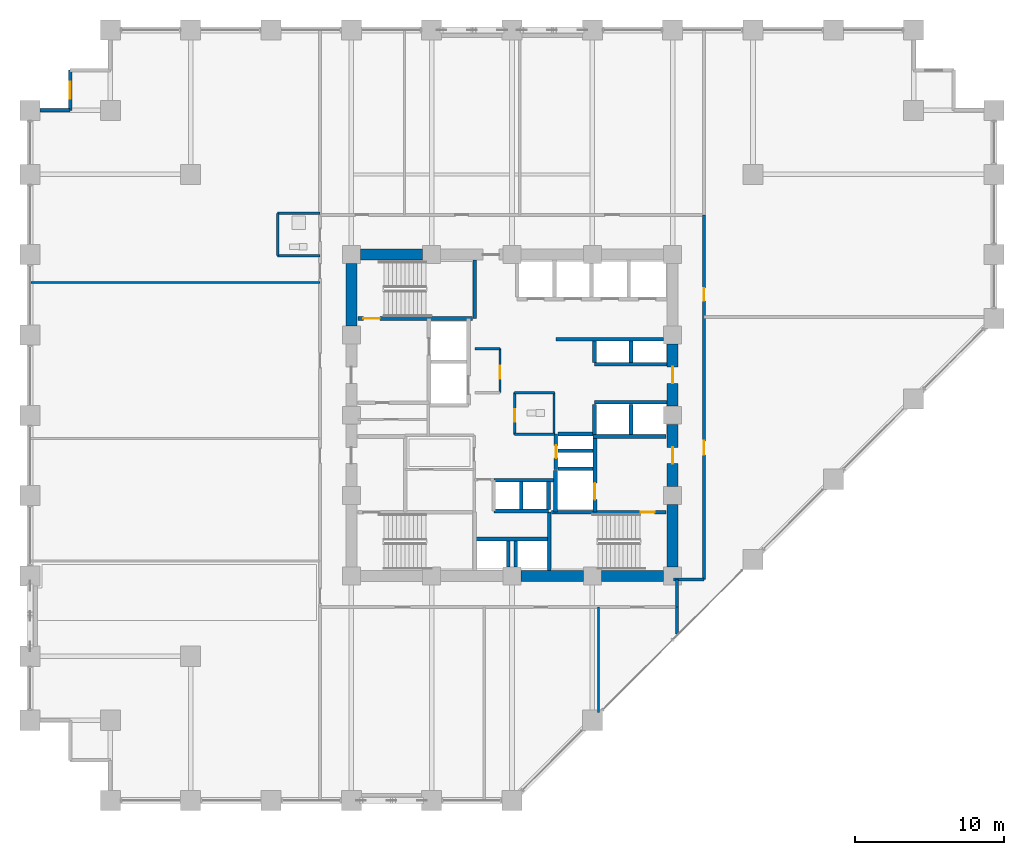
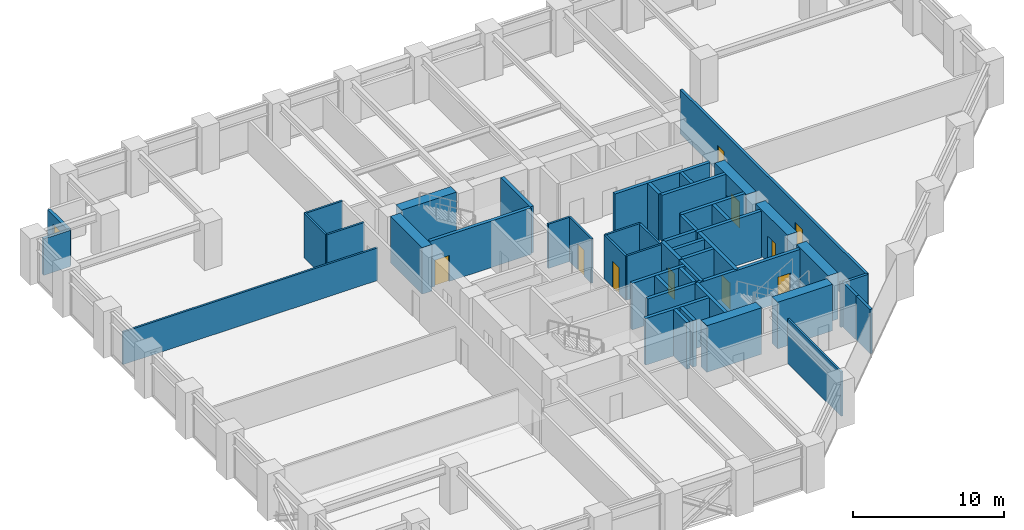
# One storey, part 21 of 25: 49 walls, 10 doors, 1 window, 11 openings.
"""IFC4 building model written with IfcOpenShell, lengths in metres."""

from ifc_helpers import new_model, si_unit, direction, frame, frame_2d, origin, place, context, subcontext, project, spatial, rectangle, extrude, material, layer, layer_set, type_object, element, fill, save


model = new_model("IFC4")

# Units and contexts
model_context = context("Model", 3, precision=1e-05, world=origin(), true_north=direction((0.0, 1.0)))
body_context = subcontext(model_context, "Body", "Model", "MODEL_VIEW")
ifc_project = project(units=[si_unit("LENGTHUNIT", "METRE"), si_unit("AREAUNIT", "SQUARE_METRE"), si_unit("VOLUMEUNIT", "CUBIC_METRE"), si_unit("PLANEANGLEUNIT", "RADIAN"), si_unit("MASSUNIT", "GRAM", prefix="KILO")], contexts=[model_context])

# Site, building, storey
site_placement = place(None, origin())
site = spatial("IfcSite", under=ifc_project, at=site_placement, CompositionType="ELEMENT")
building_placement = place(site_placement, origin())
building = spatial("IfcBuilding", under=site, at=building_placement, Name="Surkhivell Harbour Commons", CompositionType="ELEMENT")
storey_placement = place(building_placement, frame((0.0, 0.0, 52.5)))
storey = spatial("IfcBuildingStorey", under=building, at=storey_placement, Name="L13", CompositionType="ELEMENT", Elevation=52.5)

# Walls
ifc_material_1 = material(Name="Concrete C60/75", Category="concrete")
ifc_layer_1 = layer(ifc_material_1, 0.75)
ifc_layer_set_1 = layer_set([ifc_layer_1], Name="Concrete C60/75")
wall_type_1 = type_object("IfcWallType", Name="WAL-CORE-750", PredefinedType="SHEAR", material=ifc_layer_set_1)
for number, where, z_axis, x_axis, name in (
    (1, (-10.18994140625, 10.800048828125, 0.0), (0.0, 0.0, 1.0), (1.0, 0.0, 0.0), "L13 Core Shear Wall North 1"),
    (2, (10.800048828125, -10.18994140625, 0.0), (0.0, 0.0, 1.0), (0.0, 1.0, 0.0), "L13 Core Shear Wall East 1"),
):
    element("IfcWall", number, at=place(storey_placement, frame(where, z_axis=z_axis, x_axis=x_axis)), inside=storey, type_object=wall_type_1, Name=name, PredefinedType="SHEAR", context=body_context, shape_type="SweptSolid", body=[
        extrude(rectangle(XDim=4.179931640625, YDim=0.75, at=frame_2d((2.08984375, 0.0))), origin(), (0.0, 0.0, 1.0), 3.75),
    ])

# Wall, opening, door
wall_1_placement = place(storey_placement, frame((10.800048828125, -4.7900390625, 0.0), z_axis=(0.0, 0.0, 1.0), x_axis=(0.0, 1.0, 0.0)))
wall_1 = element("IfcWall", 3, at=wall_1_placement, inside=storey, type_object=wall_type_1, Name="L13 Core Shear Wall East 2", PredefinedType="SHEAR", context=body_context, shape_type="SweptSolid", body=[
    extrude(rectangle(XDim=4.179931640625, YDim=0.75, at=frame_2d((2.08984375, 0.0))), origin(), (0.0, 0.0, 1.0), 3.75),
])
opening_1_placement = place(wall_1_placement, frame((1.5400390625, 0.0, 0.0)))
opening_1 = element("IfcOpeningElement", 4, at=opening_1_placement, cuts=wall_1, Name="Opening ID-1", PredefinedType="OPENING", context=body_context, shape_type="SweptSolid", body=[
    extrude(rectangle(XDim=1.10009765625, YDim=2.10009765625, at=frame_2d((0.550048828125, 1.050048828125))), frame((0.0, 0.385009765625, 0.0), z_axis=(0.0, -1.0, 0.0), x_axis=(1.0, 0.0, 0.0)), (0.0, 0.0, 1.0), 0.77001953125),
])
ifc_material_2 = material(Name="Hardwood-veneered fire-rated door leaf", Category="wood")
door_type_1 = type_object("IfcDoorType", Name="DOR-FD120-1100", OperationType="NOTDEFINED", PredefinedType="DOOR", material=ifc_material_2)
door_1_placement = place(opening_1_placement, origin())
door_1 = element("IfcDoor", 5, at=door_1_placement, inside=storey, type_object=door_type_1, Name="L13 Firefighting Lobby 2 Corridor Door", OperationType="SINGLE_SWING_RIGHT", OverallHeight=2.10009765625, OverallWidth=1.10009765625, PredefinedType="DOOR", context=body_context, shape_type="SweptSolid", body=[
    extrude(rectangle(XDim=1.10009765625, YDim=2.10009765625, at=frame_2d((0.550048828125, 1.050048828125))), frame((0.0, 0.02490234375, 0.0), z_axis=(0.0, -1.0, 0.0), x_axis=(1.0, 0.0, 0.0)), (0.0, 0.0, 1.0), 0.050048828125),
])
fill(opening_1, door_1)

# Wall
wall_2_placement = place(storey_placement, frame((0.610107421875, -10.800048828125, 0.0), z_axis=(0.0, 0.0, 1.0), x_axis=(1.0, 0.0, 0.0)))
element("IfcWall", 6, at=wall_2_placement, inside=storey, type_object=wall_type_1, Name="L13 Core Shear Wall South 3", PredefinedType="SHEAR", context=body_context, shape_type="SweptSolid", body=[
    extrude(rectangle(XDim=4.179931640625, YDim=0.75, at=frame_2d((2.08984375, 0.0))), origin(), (0.0, 0.0, 1.0), 3.75),
])

# Wall, opening, door
wall_3_placement = place(storey_placement, frame((10.800048828125, 0.610107421875, 0.0), z_axis=(0.0, 0.0, 1.0), x_axis=(0.0, 1.0, 0.0)))
wall_3 = element("IfcWall", 7, at=wall_3_placement, inside=storey, type_object=wall_type_1, Name="L13 Core Shear Wall East 3", PredefinedType="SHEAR", context=body_context, shape_type="SweptSolid", body=[
    extrude(rectangle(XDim=4.179931640625, YDim=0.75, at=frame_2d((2.08984375, 0.0))), origin(), (0.0, 0.0, 1.0), 3.75),
])
opening_2_placement = place(wall_3_placement, frame((1.5400390625, 0.0, 0.0)))
opening_2 = element("IfcOpeningElement", 8, at=opening_2_placement, cuts=wall_3, Name="Opening ID-2", PredefinedType="OPENING", context=body_context, shape_type="SweptSolid", body=[
    extrude(rectangle(XDim=1.10009765625, YDim=2.10009765625, at=frame_2d((0.550048828125, 1.050048828125))), frame((0.0, 0.385009765625, 0.0), z_axis=(0.0, -1.0, 0.0), x_axis=(1.0, 0.0, 0.0)), (0.0, 0.0, 1.0), 0.77001953125),
])
door_type_2 = type_object("IfcDoorType", Name="DOR-FD60-1100", OperationType="NOTDEFINED", PredefinedType="DOOR", material=ifc_material_2)
door_2_placement = place(opening_2_placement, origin())
door_2 = element("IfcDoor", 9, at=door_2_placement, inside=storey, type_object=door_type_2, Name="L13 Mid-Rise Lobby East Door", OperationType="SINGLE_SWING_LEFT", OverallHeight=2.10009765625, OverallWidth=1.10009765625, PredefinedType="DOOR", context=body_context, shape_type="SweptSolid", body=[
    extrude(rectangle(XDim=1.10009765625, YDim=2.10009765625, at=frame_2d((0.550048828125, 1.050048828125))), frame((0.0, 0.02490234375, 0.0), z_axis=(0.0, -1.0, 0.0), x_axis=(1.0, 0.0, 0.0)), (0.0, 0.0, 1.0), 0.050048828125),
])
fill(opening_2, door_2)

# Walls
for number, where, z_axis, x_axis, name in (
    (10, (6.010009765625, -10.800048828125, 0.0), (0.0, 0.0, 1.0), (1.0, 0.0, 0.0), "L13 Core Shear Wall South 4"),
    (11, (-10.800048828125, 6.010009765625, 0.0), (0.0, 0.0, 1.0), (0.0, 1.0, 0.0), "L13 Core Shear Wall West 4"),
):
    element("IfcWall", number, at=place(storey_placement, frame(where, z_axis=z_axis, x_axis=x_axis)), inside=storey, type_object=wall_type_1, Name=name, PredefinedType="SHEAR", context=body_context, shape_type="SweptSolid", body=[
        extrude(rectangle(XDim=4.179931640625, YDim=0.75, at=frame_2d((2.08984375, 0.0))), origin(), (0.0, 0.0, 1.0), 3.75),
    ])

# Wall, opening, window
ifc_material_3 = material(Name="Bronze-ochre cassette precast concrete C45/55", Category="concrete")
ifc_layer_2 = layer(ifc_material_3, 0.239990234375)
ifc_layer_set_2 = layer_set([ifc_layer_2], Name="Bronze-ochre cassette precast concrete C45/55")
wall_type_2 = type_object("IfcWallType", Name="WAL-EXT-OCH240", PredefinedType="STANDARD", material=ifc_layer_set_2)
wall_4_placement = place(storey_placement, frame((-29.699951171875, 23.199951171875, 0.0), z_axis=(0.0, 0.0, 1.0), x_axis=(0.0, -1.0, 0.0)))
wall_4 = element("IfcWall", 12, at=wall_4_placement, inside=storey, type_object=wall_type_2, Name="L13 Serrated Corner Facade Wall 10", PredefinedType="STANDARD", context=body_context, shape_type="SweptSolid", body=[
    extrude(rectangle(XDim=2.699951171875, YDim=0.239990234375, at=frame_2d((1.35009765625, 0.0))), origin(), (0.0, 0.0, 1.0), 2.929931640625),
])
opening_3_placement = place(wall_4_placement, frame((0.77490234375, 0.0, 0.64990234375)))
opening_3 = element("IfcOpeningElement", 13, at=opening_3_placement, cuts=wall_4, Name="Opening WN-10", PredefinedType="OPENING", context=body_context, shape_type="SweptSolid", body=[
    extrude(rectangle(XDim=1.14990234375, YDim=1.550048828125, at=frame_2d((0.574951171875, 0.77490234375))), frame((0.0, 0.1298828125, 0.0), z_axis=(0.0, -1.0, 0.0), x_axis=(1.0, 0.0, 0.0)), (0.0, 0.0, 1.0), 0.260009765625),
])
ifc_material_4 = material(Name="Thermal-break aluminium frame and double low-E glazing", Category="aluminium")
window_type = type_object("IfcWindowType", Name="WIN-SER-1150x1550", PartitioningType="SINGLE_PANEL", PredefinedType="WINDOW", material=ifc_material_4)
window_placement = place(opening_3_placement, origin())
window = element("IfcWindow", 14, at=window_placement, inside=storey, type_object=window_type, Name="L13 Serrated Alcove Window 10", OverallHeight=1.550048828125, OverallWidth=1.14990234375, PartitioningType="SINGLE_PANEL", PredefinedType="WINDOW", context=body_context, shape_type="SweptSolid", body=[
    extrude(rectangle(XDim=1.14990234375, YDim=1.550048828125, at=frame_2d((0.574951171875, 0.77490234375))), frame((0.0, 0.030029296875, 0.0), z_axis=(0.0, -1.0, 0.0), x_axis=(1.0, 0.0, 0.0)), (0.0, 0.0, 1.0), 0.06005859375),
])
fill(opening_3, window)

# Walls
wall_5_placement = place(storey_placement, frame((-29.699951171875, 20.5, 0.0), z_axis=(0.0, 0.0, 1.0), x_axis=(-1.0, 0.0, 0.0)))
element("IfcWall", 15, at=wall_5_placement, inside=storey, type_object=wall_type_2, Name="L13 Serrated Corner Facade Wall 11", PredefinedType="STANDARD", context=body_context, shape_type="SweptSolid", body=[
    extrude(rectangle(XDim=2.027099609375, YDim=0.239990234375, at=frame_2d((1.013671875, 0.0))), origin(), (0.0, 0.0, 1.0), 2.929931640625),
])
ifc_material_5 = material(Name="Twin-stud acoustic fireboard partition", Category="other")
ifc_layer_3 = layer(ifc_material_5, 0.14990234375)
ifc_layer_set_3 = layer_set([ifc_layer_3], Name="Twin-stud acoustic fireboard partition")
wall_type_3 = type_object("IfcWallType", Name="WAL-INT-150", PredefinedType="PARTITIONING", material=ifc_layer_set_3)
wall_6_placement = place(storey_placement, frame((2.820068359375, -1.25, 0.0), z_axis=(0.0, 0.0, 1.0), x_axis=(0.0, 1.0, 0.0)))
element("IfcWall", 16, at=wall_6_placement, inside=storey, type_object=wall_type_3, Name="L13 Core WC East Wall", PredefinedType="PARTITIONING", context=body_context, shape_type="SweptSolid", body=[
    extrude(rectangle(XDim=2.77001953125, YDim=0.14990234375, at=frame_2d((1.385009765625, 0.0))), origin(), (0.0, 0.0, 1.0), 3.570068359375),
])
for number, where, z_axis, x_axis, name in (
    (17, (0.179931640625, 1.52001953125, 0.0), (0.0, 0.0, 1.0), (1.0, 0.0, 0.0), "L13 Core WC North Wall"),
    (18, (0.179931640625, -1.280029296875, 0.0), (0.0, 0.0, 1.0), (1.0, 0.0, 0.0), "L13 Core WC South Wall"),
):
    element("IfcWall", number, at=place(storey_placement, frame(where, z_axis=z_axis, x_axis=x_axis)), inside=storey, type_object=wall_type_3, Name=name, PredefinedType="PARTITIONING", context=body_context, shape_type="SweptSolid", body=[
        extrude(rectangle(XDim=2.670166015625, YDim=0.14990234375, at=frame_2d((1.3349609375, 0.0))), origin(), (0.0, 0.0, 1.0), 3.570068359375),
    ])

# Wall, opening, door
wall_7_placement = place(storey_placement, frame((0.179931640625, -1.280029296875, 0.0), z_axis=(0.0, 0.0, 1.0), x_axis=(0.0, 1.0, 0.0)))
wall_7 = element("IfcWall", 19, at=wall_7_placement, inside=storey, type_object=wall_type_3, Name="L13 Core Accessible WC West Wall", PredefinedType="PARTITIONING", context=body_context, shape_type="SweptSolid", body=[
    extrude(rectangle(XDim=2.800048828125, YDim=0.14990234375, at=frame_2d((1.39990234375, 0.0))), origin(), (0.0, 0.0, 1.0), 3.570068359375),
])
opening_4_placement = place(wall_7_placement, frame((0.85009765625, 0.0, 0.0)))
opening_4 = element("IfcOpeningElement", 20, at=opening_4_placement, cuts=wall_7, Name="Opening ID-6", PredefinedType="OPENING", context=body_context, shape_type="SweptSolid", body=[
    extrude(rectangle(XDim=0.85009765625, YDim=2.10009765625, at=frame_2d((0.425048828125, 1.050048828125))), frame((0.0, 0.0849609375, 0.0), z_axis=(0.0, -1.0, 0.0), x_axis=(1.0, 0.0, 0.0)), (0.0, 0.0, 1.0), 0.169921875),
])
door_type_3 = type_object("IfcDoorType", Name="DOR-FD30-850", OperationType="NOTDEFINED", PredefinedType="DOOR", material=ifc_material_2)
door_3_placement = place(opening_4_placement, origin())
door_3 = element("IfcDoor", 21, at=door_3_placement, inside=storey, type_object=door_type_3, Name="L13 Floor Accessible WC Door", OperationType="SINGLE_SWING_RIGHT", OverallHeight=2.10009765625, OverallWidth=0.85009765625, PredefinedType="DOOR", context=body_context, shape_type="SweptSolid", body=[
    extrude(rectangle(XDim=0.85009765625, YDim=2.10009765625, at=frame_2d((0.425048828125, 1.050048828125))), frame((0.0, 0.02490234375, 0.0), z_axis=(0.0, -1.0, 0.0), x_axis=(1.0, 0.0, 0.0)), (0.0, 0.0, 1.0), 0.050048828125),
])
fill(opening_4, door_3)

wall_8_placement = place(storey_placement, frame((-0.800048828125, 1.52001953125, 0.0), z_axis=(0.0, 0.0, 1.0), x_axis=(0.0, 1.0, 0.0)))
wall_8 = element("IfcWall", 22, at=wall_8_placement, inside=storey, type_object=wall_type_3, Name="L13 Core Seminar East Wall", PredefinedType="PARTITIONING", context=body_context, shape_type="SweptSolid", body=[
    extrude(rectangle(XDim=2.9599609375, YDim=0.14990234375, at=frame_2d((1.47998046875, 0.0))), origin(), (0.0, 0.0, 1.0), 3.570068359375),
])
opening_5_placement = place(wall_8_placement, frame((0.949951171875, 0.0, 0.0)))
opening_5 = element("IfcOpeningElement", 23, at=opening_5_placement, cuts=wall_8, Name="Opening ID-6", PredefinedType="OPENING", context=body_context, shape_type="SweptSolid", body=[
    extrude(rectangle(XDim=0.85009765625, YDim=2.10009765625, at=frame_2d((0.425048828125, 1.050048828125))), frame((0.0, 0.0849609375, 0.0), z_axis=(0.0, -1.0, 0.0), x_axis=(1.0, 0.0, 0.0)), (0.0, 0.0, 1.0), 0.169921875),
])
door_4_placement = place(opening_5_placement, origin())
door_4 = element("IfcDoor", 24, at=door_4_placement, inside=storey, type_object=door_type_3, Name="L13 Central Seminar Door", OperationType="SINGLE_SWING_LEFT", OverallHeight=2.10009765625, OverallWidth=0.85009765625, PredefinedType="DOOR", context=body_context, shape_type="SweptSolid", body=[
    extrude(rectangle(XDim=0.85009765625, YDim=2.10009765625, at=frame_2d((0.425048828125, 1.050048828125))), frame((0.0, 0.02490234375, 0.0), z_axis=(0.0, -1.0, 0.0), x_axis=(1.0, 0.0, 0.0)), (0.0, 0.0, 1.0), 0.050048828125),
])
fill(opening_5, door_4)

# Walls
wall_9_placement = place(storey_placement, frame((-2.47998046875, 4.47998046875, 0.0), z_axis=(0.0, 0.0, 1.0), x_axis=(1.0, 0.0, 0.0)))
element("IfcWall", 25, at=wall_9_placement, inside=storey, type_object=wall_type_3, Name="L13 Core Seminar North Wall", PredefinedType="PARTITIONING", context=body_context, shape_type="SweptSolid", body=[
    extrude(rectangle(XDim=1.679931640625, YDim=0.14990234375, at=frame_2d((0.83984375, 0.0))), origin(), (0.0, 0.0, 1.0), 3.570068359375),
])
wall_10_placement = place(storey_placement, frame((5.820068359375, -19.9951171875, 0.0), z_axis=(0.0, 0.0, 1.0), x_axis=(0.0, 1.0, 0.0)))
element("IfcWall", 26, at=wall_10_placement, inside=storey, type_object=wall_type_3, Name="L13 South Partition P2", PredefinedType="PARTITIONING", context=body_context, shape_type="SweptSolid", body=[
    extrude(rectangle(XDim=7.09521484375, YDim=0.14990234375, at=frame_2d((3.547607421875, 0.0))), origin(), (0.0, 0.0, 1.0), 3.570068359375),
])
for number, where, z_axis, x_axis, name in (
    (27, (-15.75, 10.72998046875, 0.0), (0.0, 0.0, 1.0), (0.0, 1.0, 0.0), "L13 West Partition BTHB"),
    (28, (-15.75, 13.580078125, 0.0), (0.0, 0.0, 1.0), (1.0, 0.0, 0.0), "L13 West Partition BTHN"),
    (29, (-15.75, 10.72998046875, 0.0), (0.0, 0.0, 1.0), (1.0, 0.0, 0.0), "L13 West Partition BTHS"),
):
    element("IfcWall", number, at=place(storey_placement, frame(where, z_axis=z_axis, x_axis=x_axis)), inside=storey, type_object=wall_type_3, Name=name, PredefinedType="PARTITIONING", context=body_context, shape_type="SweptSolid", body=[
        extrude(rectangle(XDim=2.85009765625, YDim=0.14990234375, at=frame_2d((1.425048828125, 0.0))), origin(), (0.0, 0.0, 1.0), 3.570068359375),
    ])
wall_11_placement = place(storey_placement, frame((-32.340087890625, 8.929931640625, 0.0), z_axis=(0.0, 0.0, 1.0), x_axis=(1.0, 0.0, 0.0)))
element("IfcWall", 30, at=wall_11_placement, inside=storey, type_object=wall_type_3, Name="L13 West Partition PTOP", PredefinedType="PARTITIONING", context=body_context, shape_type="SweptSolid", body=[
    extrude(rectangle(XDim=19.440185546875, YDim=0.14990234375, at=frame_2d((9.72021484375, 0.0))), origin(), (0.0, 0.0, 1.0), 2.62890625),
])
ifc_material_6 = material(Name="Autoclaved aerated concrete blockwork and fire plaster", Category="masonry")
ifc_layer_4 = layer(ifc_material_6, 0.199951171875)
ifc_layer_set_4 = layer_set([ifc_layer_4], Name="Autoclaved aerated concrete blockwork and fire plaster")
wall_type_4 = type_object("IfcWallType", Name="WAL-INT-200", PredefinedType="PARTITIONING", material=ifc_layer_set_4)
wall_12_placement = place(storey_placement, frame((11.10009765625, -14.715087890625, 0.0), z_axis=(0.0, 0.0, 1.0), x_axis=(0.0, 1.0, 0.0)))
element("IfcWall", 31, at=wall_12_placement, inside=storey, type_object=wall_type_4, Name="L13 South-East Wing Corner Divider", PredefinedType="PARTITIONING", context=body_context, shape_type="SweptSolid", body=[
    extrude(rectangle(XDim=1.815185546875, YDim=0.199951171875, at=frame_2d((0.90771484375, 0.0))), origin(), (0.0, 0.0, 1.0), 3.570068359375),
])

# Wall, openings, doors
wall_13_placement = place(storey_placement, frame((12.89990234375, -11.0400390625, 0.0), z_axis=(0.0, 0.0, 1.0), x_axis=(0.0, 1.0, 0.0)))
wall_13 = element("IfcWall", 32, at=wall_13_placement, inside=storey, type_object=wall_type_4, Name="L13 Corridor East Wall", PredefinedType="PARTITIONING", context=body_context, shape_type="SweptSolid", body=[
    extrude(rectangle(XDim=24.52001953125, YDim=0.199951171875, at=frame_2d((12.260009765625, 0.0))), origin(), (0.0, 0.0, 1.0), 3.570068359375),
])
opening_6_placement = place(wall_13_placement, frame((8.375, 0.0, 0.0)))
opening_6 = element("IfcOpeningElement", 33, at=opening_6_placement, cuts=wall_13, Name="Opening ID-4", PredefinedType="OPENING", context=body_context, shape_type="SweptSolid", body=[
    extrude(rectangle(XDim=0.949951171875, YDim=2.10009765625, at=frame_2d((0.47509765625, 1.050048828125))), frame((0.0, 0.10986328125, 0.0), z_axis=(0.0, -1.0, 0.0), x_axis=(1.0, 0.0, 0.0)), (0.0, 0.0, 1.0), 0.219970703125),
])
opening_7_placement = place(wall_13_placement, frame((18.739013671875, 0.0, 0.0)))
opening_7 = element("IfcOpeningElement", 34, at=opening_7_placement, cuts=wall_13, Name="Opening ID-6", PredefinedType="OPENING", context=body_context, shape_type="SweptSolid", body=[
    extrude(rectangle(XDim=0.85009765625, YDim=2.10009765625, at=frame_2d((0.425048828125, 1.050048828125))), frame((0.0, 0.10986328125, 0.0), z_axis=(0.0, -1.0, 0.0), x_axis=(1.0, 0.0, 0.0)), (0.0, 0.0, 1.0), 0.219970703125),
])
door_5_placement = place(opening_7_placement, origin())
door_5 = element("IfcDoor", 35, at=door_5_placement, inside=storey, type_object=door_type_3, Name="L13 Resident Advisory Reception Desk East Door", OperationType="SINGLE_SWING_LEFT", OverallHeight=2.10009765625, OverallWidth=0.85009765625, PredefinedType="DOOR", context=body_context, shape_type="SweptSolid", body=[
    extrude(rectangle(XDim=0.85009765625, YDim=2.10009765625, at=frame_2d((0.425048828125, 1.050048828125))), frame((0.0, 0.02490234375, 0.0), z_axis=(0.0, -1.0, 0.0), x_axis=(1.0, 0.0, 0.0)), (0.0, 0.0, 1.0), 0.050048828125),
])
fill(opening_7, door_5)
door_type_4 = type_object("IfcDoorType", Name="DOR-FD60-950", OperationType="NOTDEFINED", PredefinedType="DOOR", material=ifc_material_2)
door_6_placement = place(opening_6_placement, origin())
door_6 = element("IfcDoor", 36, at=door_6_placement, inside=storey, type_object=door_type_4, Name="L13 Zone Concierge Reception Foyer East Door", OperationType="SINGLE_SWING_RIGHT", OverallHeight=2.10009765625, OverallWidth=0.949951171875, PredefinedType="DOOR", context=body_context, shape_type="SweptSolid", body=[
    extrude(rectangle(XDim=0.949951171875, YDim=2.10009765625, at=frame_2d((0.47509765625, 1.050048828125))), frame((0.0, 0.02490234375, 0.0), z_axis=(0.0, -1.0, 0.0), x_axis=(1.0, 0.0, 0.0)), (0.0, 0.0, 1.0), 0.050048828125),
])
fill(opening_6, door_6)

# Walls
wall_14_placement = place(storey_placement, frame((10.85009765625, -11.0400390625, 0.0), z_axis=(0.0, 0.0, 1.0), x_axis=(1.0, 0.0, 0.0)))
element("IfcWall", 37, at=wall_14_placement, inside=storey, type_object=wall_type_4, Name="L13 Corridor East South Closure Wall", PredefinedType="PARTITIONING", context=body_context, shape_type="SweptSolid", body=[
    extrude(rectangle(XDim=2.0498046875, YDim=0.199951171875, at=frame_2d((1.02490234375, 0.0))), origin(), (0.0, 0.0, 1.0), 3.570068359375),
])
wall_15_placement = place(storey_placement, frame((11.10009765625, -12.89990234375, 0.0), z_axis=(0.0, 0.0, 1.0), x_axis=(0.0, 1.0, 0.0)))
element("IfcWall", 38, at=wall_15_placement, inside=storey, type_object=wall_type_4, Name="L13 Corridor SE Closure Wall", PredefinedType="PARTITIONING", context=body_context, shape_type="SweptSolid", body=[
    extrude(rectangle(XDim=1.85986328125, YDim=0.199951171875, at=frame_2d((0.929931640625, 0.0))), origin(), (0.0, 0.0, 1.0), 3.570068359375),
])
ifc_material_7 = material(Name="Concrete C50/60", Category="concrete")
ifc_layer_5 = layer(ifc_material_7, 0.25)
ifc_layer_set_5 = layer_set([ifc_layer_5], Name="Concrete C50/60")
wall_type_5 = type_object("IfcWallType", Name="WAL-SHAFT-250", PredefinedType="SHEAR", material=ifc_layer_set_5)
wall_16_placement = place(storey_placement, frame((2.929931640625, -6.510009765625, 0.0), z_axis=(0.0, 0.0, 1.0), x_axis=(0.0, 1.0, 0.0)))
element("IfcWall", 39, at=wall_16_placement, inside=storey, type_object=wall_type_5, Name="L13 FFL2 West Shaft Wall", PredefinedType="SHEAR", context=body_context, shape_type="SweptSolid", body=[
    extrude(rectangle(XDim=2.7900390625, YDim=0.25, at=frame_2d((1.39501953125, 0.0))), origin(), (0.0, 0.0, 1.0), 3.75),
])
wall_17_placement = place(storey_placement, frame((5.43994140625, -1.419921875, 0.0), z_axis=(0.0, 0.0, 1.0), x_axis=(1.0, 0.0, 0.0)))
element("IfcWall", 40, at=wall_17_placement, inside=storey, type_object=wall_type_5, Name="L13 Firefighting Lobby 2 North Wall", PredefinedType="SHEAR", context=body_context, shape_type="SweptSolid", body=[
    extrude(rectangle(XDim=4.900146484375, YDim=0.25, at=frame_2d((2.4501953125, 0.0))), origin(), (0.0, 0.0, 1.0), 3.75),
])
wall_18_placement = place(storey_placement, frame((3.080078125, -3.60009765625, 0.0), z_axis=(0.0, 0.0, 1.0), x_axis=(1.0, 0.0, 0.0)))
element("IfcWall", 41, at=wall_18_placement, inside=storey, type_object=wall_type_5, Name="L13 FFL2 North Shaft Wall", PredefinedType="SHEAR", context=body_context, shape_type="SweptSolid", body=[
    extrude(rectangle(XDim=2.369873046875, YDim=0.25, at=frame_2d((1.18505859375, 0.0))), origin(), (0.0, 0.0, 1.0), 3.75),
])

# Wall, opening, door
wall_19_placement = place(storey_placement, frame((5.580078125, -6.510009765625, 0.0), z_axis=(0.0, 0.0, 1.0), x_axis=(0.0, 1.0, 0.0)))
wall_19 = element("IfcWall", 42, at=wall_19_placement, inside=storey, type_object=wall_type_5, Name="L13 Firefighting Lobby 2 West Shaft Wall", PredefinedType="SHEAR", context=body_context, shape_type="SweptSolid", body=[
    extrude(rectangle(XDim=5.090087890625, YDim=0.25, at=frame_2d((2.544921875, 0.0))), origin(), (0.0, 0.0, 1.0), 3.75),
])
opening_8_placement = place(wall_19_placement, frame((0.85009765625, 0.0, 0.0)))
opening_8 = element("IfcOpeningElement", 43, at=opening_8_placement, cuts=wall_19, Name="Opening LD-1", PredefinedType="OPENING", context=body_context, shape_type="SweptSolid", body=[
    extrude(rectangle(XDim=1.10009765625, YDim=2.10009765625, at=frame_2d((0.550048828125, 1.050048828125))), frame((0.0, 0.135009765625, 0.0), z_axis=(0.0, -1.0, 0.0), x_axis=(1.0, 0.0, 0.0)), (0.0, 0.0, 1.0), 0.27001953125),
])
ifc_material_8 = material(Name="Brushed stainless steel S355", Category="steel")
door_type_5 = type_object("IfcDoorType", Name="DOR-LD-1100", OperationType="SLIDING_TO_LEFT", PredefinedType="DOOR", material=ifc_material_8)
door_7_placement = place(opening_8_placement, origin())
door_7 = element("IfcDoor", 44, at=door_7_placement, inside=storey, type_object=door_type_5, Name="L13 Lift Landing Door LD-FFL2", OperationType="SLIDING_TO_RIGHT", OverallHeight=2.10009765625, OverallWidth=1.10009765625, PredefinedType="DOOR", context=body_context, shape_type="SweptSolid", body=[
    extrude(rectangle(XDim=1.10009765625, YDim=2.10009765625, at=frame_2d((0.550048828125, 1.050048828125))), frame((0.0, 0.02490234375, 0.0), z_axis=(0.0, -1.0, 0.0), x_axis=(1.0, 0.0, 0.0)), (0.0, 0.0, 1.0), 0.050048828125),
])
fill(opening_8, door_7)

# Walls
for number, where, z_axis, x_axis, name in (
    (45, (0.6201171875, -6.340087890625, 0.0), (0.0, 0.0, 1.0), (0.0, 1.0, 0.0), "L13 High-Rise Side Wall N"),
    (46, (2.449951171875, -6.340087890625, 0.0), (0.0, 0.0, 1.0), (0.0, 1.0, 0.0), "L13 High-Rise Side Wall N"),
):
    element("IfcWall", number, at=place(storey_placement, frame(where, z_axis=z_axis, x_axis=x_axis)), inside=storey, type_object=wall_type_5, Name=name, PredefinedType="SHEAR", context=body_context, shape_type="SweptSolid", body=[
        extrude(rectangle(XDim=1.880126953125, YDim=0.25, at=frame_2d((0.93994140625, 0.0))), origin(), (0.0, 0.0, 1.0), 3.75),
    ])
for number, where, z_axis, x_axis, name in (
    (47, (-0.25, -10.199951171875, 0.0), (0.0, 0.0, 1.0), (0.0, 1.0, 0.0), "L13 High-Rise Side Wall S"),
    (48, (0.25, -10.199951171875, 0.0), (0.0, 0.0, 1.0), (0.0, 1.0, 0.0), "L13 High-Rise Side Wall S"),
):
    element("IfcWall", number, at=place(storey_placement, frame(where, z_axis=z_axis, x_axis=x_axis)), inside=storey, type_object=wall_type_5, Name=name, PredefinedType="SHEAR", context=body_context, shape_type="SweptSolid", body=[
        extrude(rectangle(XDim=1.760009765625, YDim=0.25, at=frame_2d((0.8798828125, 0.0))), origin(), (0.0, 0.0, 1.0), 3.75),
    ])
wall_20_placement = place(storey_placement, frame((-1.219970703125, -6.43994140625, 0.0), z_axis=(0.0, 0.0, 1.0), x_axis=(1.0, 0.0, 0.0)))
element("IfcWall", 49, at=wall_20_placement, inside=storey, type_object=wall_type_5, Name="L13 High-Rise North Front Shaft Wall", PredefinedType="SHEAR", context=body_context, shape_type="SweptSolid", body=[
    extrude(rectangle(XDim=3.669921875, YDim=0.25, at=frame_2d((1.8349609375, 0.0))), origin(), (0.0, 0.0, 1.0), 3.75),
])
wall_21_placement = place(storey_placement, frame((-2.47998046875, -8.320068359375, 0.0), z_axis=(0.0, 0.0, 1.0), x_axis=(1.0, 0.0, 0.0)))
element("IfcWall", 50, at=wall_21_placement, inside=storey, type_object=wall_type_5, Name="L13 High-Rise South Front Shaft Wall", PredefinedType="SHEAR", context=body_context, shape_type="SweptSolid", body=[
    extrude(rectangle(XDim=4.929931640625, YDim=0.25, at=frame_2d((2.46484375, 0.0))), origin(), (0.0, 0.0, 1.0), 3.75),
])
wall_22_placement = place(storey_placement, frame((-1.219970703125, -4.360107421875, 0.0), z_axis=(0.0, 0.0, 1.0), x_axis=(1.0, 0.0, 0.0)))
element("IfcWall", 51, at=wall_22_placement, inside=storey, type_object=wall_type_5, Name="L13 High-Rise North Back Shaft Wall", PredefinedType="SHEAR", context=body_context, shape_type="SweptSolid", body=[
    extrude(rectangle(XDim=4.030029296875, YDim=0.25, at=frame_2d((2.01513671875, 0.0))), origin(), (0.0, 0.0, 1.0), 3.75),
])
wall_23_placement = place(storey_placement, frame((2.949951171875, 5.1201171875, 0.0), z_axis=(0.0, 0.0, 1.0), x_axis=(1.0, 0.0, 0.0)))
element("IfcWall", 52, at=wall_23_placement, inside=storey, type_object=wall_type_5, Name="L13 Low-Rise Lobby South Wall", PredefinedType="SHEAR", context=body_context, shape_type="SweptSolid", body=[
    extrude(rectangle(XDim=7.25, YDim=0.25, at=frame_2d((3.625, 0.0))), origin(), (0.0, 0.0, 1.0), 3.75),
])
for number, where, z_axis, x_axis, name in (
    (53, (5.550048828125, 3.550048828125, 0.0), (0.0, 0.0, 1.0), (0.0, 1.0, 0.0), "L13 Mid-Rise Shaft Side Wall N"),
    (54, (8.0, 3.550048828125, 0.0), (0.0, 0.0, 1.0), (0.0, 1.0, 0.0), "L13 Mid-Rise Shaft Side Wall N"),
):
    element("IfcWall", number, at=place(storey_placement, frame(where, z_axis=z_axis, x_axis=x_axis)), inside=storey, type_object=wall_type_5, Name=name, PredefinedType="SHEAR", context=body_context, shape_type="SweptSolid", body=[
        extrude(rectangle(XDim=1.449951171875, YDim=0.25, at=frame_2d((0.72509765625, 0.0))), origin(), (0.0, 0.0, 1.0), 3.75),
    ])
for number, where, z_axis, x_axis, name in (
    (55, (5.550048828125, -1.300048828125, 0.0), (0.0, 0.0, 1.0), (0.0, 1.0, 0.0), "L13 Mid-Rise Shaft Side Wall S"),
    (56, (8.0, -1.300048828125, 0.0), (0.0, 0.0, 1.0), (0.0, 1.0, 0.0), "L13 Mid-Rise Shaft Side Wall S"),
):
    element("IfcWall", number, at=place(storey_placement, frame(where, z_axis=z_axis, x_axis=x_axis)), inside=storey, type_object=wall_type_5, Name=name, PredefinedType="SHEAR", context=body_context, shape_type="SweptSolid", body=[
        extrude(rectangle(XDim=2.0400390625, YDim=0.25, at=frame_2d((1.02001953125, 0.0))), origin(), (0.0, 0.0, 1.0), 3.75),
    ])
for number, where, z_axis, x_axis, name in (
    (57, (5.550048828125, 3.429931640625, 0.0), (0.0, 0.0, 1.0), (1.0, 0.0, 0.0), "L13 Mid-Rise North Front Shaft Wall"),
    (58, (5.550048828125, 0.8701171875, 0.0), (0.0, 0.0, 1.0), (1.0, 0.0, 0.0), "L13 Mid-Rise South Front Shaft Wall"),
):
    element("IfcWall", number, at=place(storey_placement, frame(where, z_axis=z_axis, x_axis=x_axis)), inside=storey, type_object=wall_type_5, Name=name, PredefinedType="SHEAR", context=body_context, shape_type="SweptSolid", body=[
        extrude(rectangle(XDim=4.875, YDim=0.25, at=frame_2d((2.4375, 0.0))), origin(), (0.0, 0.0, 1.0), 3.75),
    ])
for number, where, z_axis, x_axis, name in (
    (59, (3.080078125, -2.3798828125, 0.0), (0.0, 0.0, 1.0), (1.0, 0.0, 0.0), "L13 Riser Divider Wall"),
    (60, (3.080078125, -1.25, 0.0), (0.0, 0.0, 1.0), (1.0, 0.0, 0.0), "L13 Riser North Wall"),
):
    element("IfcWall", number, at=place(storey_placement, frame(where, z_axis=z_axis, x_axis=x_axis)), inside=storey, type_object=wall_type_5, Name=name, PredefinedType="SHEAR", context=body_context, shape_type="SweptSolid", body=[
        extrude(rectangle(XDim=2.369873046875, YDim=0.25, at=frame_2d((1.18505859375, 0.0))), origin(), (0.0, 0.0, 1.0), 3.75),
    ])

# Wall, opening, door
wall_24_placement = place(storey_placement, frame((2.949951171875, -3.64990234375, 0.0), z_axis=(0.0, 0.0, 1.0), x_axis=(0.0, 1.0, 0.0)))
wall_24 = element("IfcWall", 61, at=wall_24_placement, inside=storey, type_object=wall_type_5, Name="L13 Riser Shaft West Wall", PredefinedType="SHEAR", context=body_context, shape_type="SweptSolid", body=[
    extrude(rectangle(XDim=2.39990234375, YDim=0.25, at=frame_2d((1.199951171875, 0.0))), origin(), (0.0, 0.0, 1.0), 3.75),
])
opening_9_placement = place(wall_24_placement, frame((0.77490234375, 0.0, 0.0)))
opening_9 = element("IfcOpeningElement", 62, at=opening_9_placement, cuts=wall_24, Name="Opening ID-6", PredefinedType="OPENING", context=body_context, shape_type="SweptSolid", body=[
    extrude(rectangle(XDim=0.85009765625, YDim=2.10009765625, at=frame_2d((0.425048828125, 1.050048828125))), frame((0.0, 0.135009765625, 0.0), z_axis=(0.0, -1.0, 0.0), x_axis=(1.0, 0.0, 0.0)), (0.0, 0.0, 1.0), 0.27001953125),
])
door_8_placement = place(opening_9_placement, origin())
door_8 = element("IfcDoor", 63, at=door_8_placement, inside=storey, type_object=door_type_3, Name="L13 Electrical Riser Access Door", OperationType="SINGLE_SWING_LEFT", OverallHeight=2.10009765625, OverallWidth=0.85009765625, PredefinedType="DOOR", context=body_context, shape_type="SweptSolid", body=[
    extrude(rectangle(XDim=0.85009765625, YDim=2.10009765625, at=frame_2d((0.425048828125, 1.050048828125))), frame((0.0, 0.02490234375, 0.0), z_axis=(0.0, -1.0, 0.0), x_axis=(1.0, 0.0, 0.0)), (0.0, 0.0, 1.0), 0.050048828125),
])
fill(opening_9, door_8)

# Wall
wall_25_placement = place(storey_placement, frame((-2.510009765625, 6.510009765625, 0.0), z_axis=(0.0, 0.0, 1.0), x_axis=(0.0, 1.0, 0.0)))
element("IfcWall", 64, at=wall_25_placement, inside=storey, type_object=wall_type_5, Name="L13 Stair ST1 East Shear Wall", PredefinedType="SHEAR", context=body_context, shape_type="SweptSolid", body=[
    extrude(rectangle(XDim=3.9150390625, YDim=0.25, at=frame_2d((1.95751953125, 0.0))), origin(), (0.0, 0.0, 1.0), 3.75),
])

# Wall, opening, door
wall_26_placement = place(storey_placement, frame((-10.340087890625, 6.510009765625, 0.0), z_axis=(0.0, 0.0, 1.0), x_axis=(1.0, 0.0, 0.0)))
wall_26 = element("IfcWall", 65, at=wall_26_placement, inside=storey, type_object=wall_type_5, Name="L13 Stair ST1 South Shear Wall", PredefinedType="SHEAR", context=body_context, shape_type="SweptSolid", body=[
    extrude(rectangle(XDim=7.7001953125, YDim=0.25, at=frame_2d((3.85009765625, 0.0))), origin(), (0.0, 0.0, 1.0), 3.75),
])
opening_10_placement = place(wall_26_placement, frame((0.35009765625, 0.0, 0.0)))
opening_10 = element("IfcOpeningElement", 66, at=opening_10_placement, cuts=wall_26, Name="Opening ID-2", PredefinedType="OPENING", context=body_context, shape_type="SweptSolid", body=[
    extrude(rectangle(XDim=1.10009765625, YDim=2.10009765625, at=frame_2d((0.550048828125, 1.050048828125))), frame((0.0, 0.135009765625, 0.0), z_axis=(0.0, -1.0, 0.0), x_axis=(1.0, 0.0, 0.0)), (0.0, 0.0, 1.0), 0.27001953125),
])
door_9_placement = place(opening_10_placement, origin())
door_9 = element("IfcDoor", 67, at=door_9_placement, inside=storey, type_object=door_type_2, Name="L13 Stair ST1 Exit Door", OperationType="SINGLE_SWING_LEFT", OverallHeight=2.10009765625, OverallWidth=1.10009765625, PredefinedType="DOOR", context=body_context, shape_type="SweptSolid", body=[
    extrude(rectangle(XDim=1.10009765625, YDim=2.10009765625, at=frame_2d((0.550048828125, 1.050048828125))), frame((0.0, 0.02490234375, 0.0), z_axis=(0.0, -1.0, 0.0), x_axis=(1.0, 0.0, 0.0)), (0.0, 0.0, 1.0), 0.050048828125),
])
fill(opening_10, door_9)

wall_27_placement = place(storey_placement, frame((2.639892578125, -6.510009765625, 0.0), z_axis=(0.0, 0.0, 1.0), x_axis=(1.0, 0.0, 0.0)))
wall_27 = element("IfcWall", 68, at=wall_27_placement, inside=storey, type_object=wall_type_5, Name="L13 Stair ST2 North Shear Wall", PredefinedType="SHEAR", context=body_context, shape_type="SweptSolid", body=[
    extrude(rectangle(XDim=7.7001953125, YDim=0.25, at=frame_2d((3.85009765625, 0.0))), origin(), (0.0, 0.0, 1.0), 3.75),
])
opening_11_placement = place(wall_27_placement, frame((6.0, 0.0, 0.0)))
opening_11 = element("IfcOpeningElement", 69, at=opening_11_placement, cuts=wall_27, Name="Opening ID-4", PredefinedType="OPENING", context=body_context, shape_type="SweptSolid", body=[
    extrude(rectangle(XDim=0.949951171875, YDim=2.10009765625, at=frame_2d((0.47509765625, 1.050048828125))), frame((0.0, 0.135009765625, 0.0), z_axis=(0.0, -1.0, 0.0), x_axis=(1.0, 0.0, 0.0)), (0.0, 0.0, 1.0), 0.27001953125),
])
door_10_placement = place(opening_11_placement, origin())
door_10 = element("IfcDoor", 70, at=door_10_placement, inside=storey, type_object=door_type_4, Name="L13 Stair ST2 Exit Door", OperationType="SINGLE_SWING_RIGHT", OverallHeight=2.10009765625, OverallWidth=0.949951171875, PredefinedType="DOOR", context=body_context, shape_type="SweptSolid", body=[
    extrude(rectangle(XDim=0.949951171875, YDim=2.10009765625, at=frame_2d((0.47509765625, 1.050048828125))), frame((0.0, 0.02490234375, 0.0), z_axis=(0.0, -1.0, 0.0), x_axis=(1.0, 0.0, 0.0)), (0.0, 0.0, 1.0), 0.050048828125),
])
fill(opening_11, door_10)

# Wall
wall_28_placement = place(storey_placement, frame((2.510009765625, -10.425048828125, 0.0), z_axis=(0.0, 0.0, 1.0), x_axis=(0.0, 1.0, 0.0)))
element("IfcWall", 71, at=wall_28_placement, inside=storey, type_object=wall_type_5, Name="L13 Stair ST2 West Shear Wall", PredefinedType="SHEAR", context=body_context, shape_type="SweptSolid", body=[
    extrude(rectangle(XDim=3.9150390625, YDim=0.25, at=frame_2d((1.95751953125, 0.0))), origin(), (0.0, 0.0, 1.0), 3.75),
])

save(model, "model.ifc")
